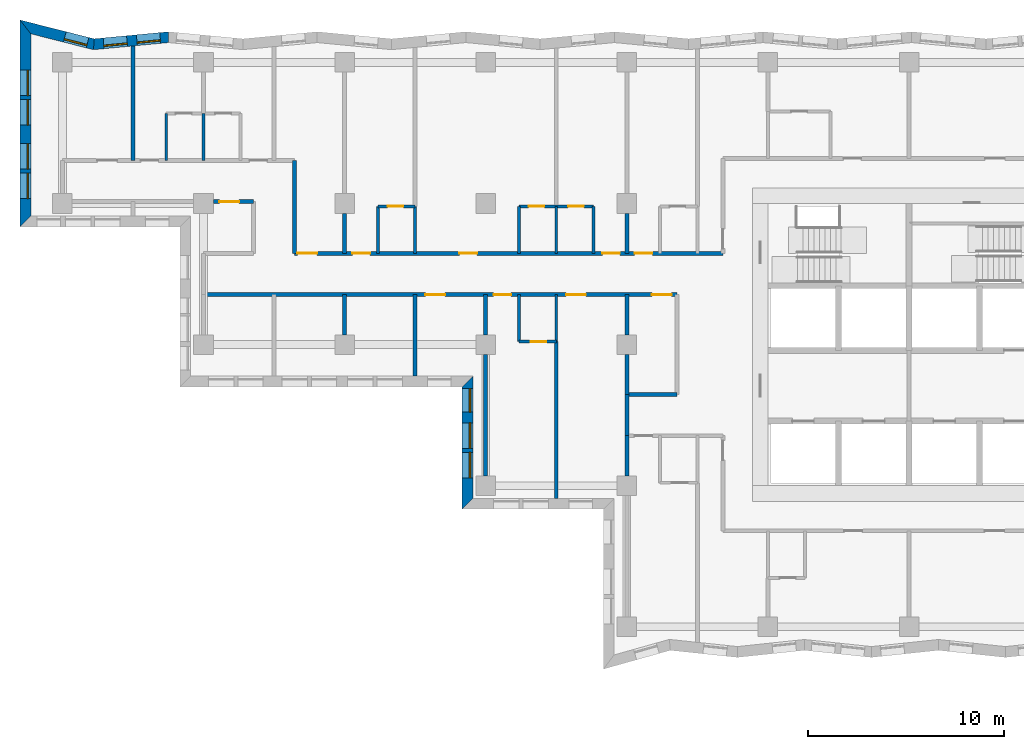
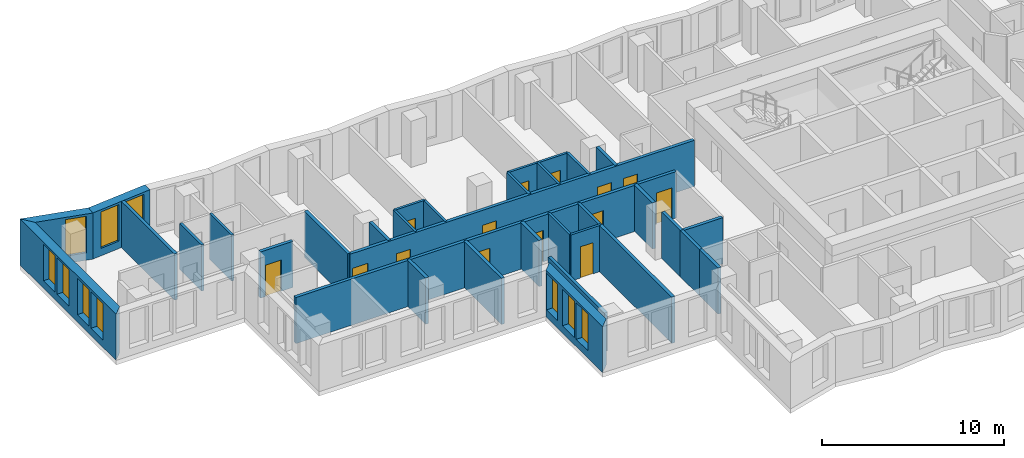
# One storey, part 4 of 12: 33 walls, 14 doors, 10 windows, 24 openings.
"""IFC4 building model written with IfcOpenShell, lengths in metres."""

from ifc_helpers import new_model, si_unit, direction, frame, frame_2d, origin, place, context, subcontext, project, spatial, polyline, rectangle, outline, extrude, material, layer, layer_set, type_object, element, fill, save


model = new_model("IFC4")

# Units and contexts
model_context = context("Model", 3, precision=1e-05, world=origin(), true_north=direction((0.0, 1.0)))
body_context = subcontext(model_context, "Body", "Model", "MODEL_VIEW")
ifc_project = project(units=[si_unit("LENGTHUNIT", "METRE"), si_unit("AREAUNIT", "SQUARE_METRE"), si_unit("VOLUMEUNIT", "CUBIC_METRE"), si_unit("PLANEANGLEUNIT", "RADIAN"), si_unit("MASSUNIT", "GRAM", prefix="KILO")], contexts=[model_context])

# Site, building, storey
site_placement = place(None, origin())
site = spatial("IfcSite", under=ifc_project, at=site_placement, CompositionType="ELEMENT")
building_placement = place(site_placement, origin())
building = spatial("IfcBuilding", under=site, at=building_placement, Name="Windrow Commons", CompositionType="ELEMENT")
storey_placement = place(building_placement, frame((0.0, 0.0, 88.0)))
storey = spatial("IfcBuildingStorey", under=building, at=storey_placement, Name="L23", CompositionType="ELEMENT", Elevation=88.0)

# Wall, openings, windows
ifc_material_1 = material(Name="Brick masonry, red clay brick", Category="masonry")
ifc_layer_1 = layer(ifc_material_1, 0.55)
ifc_layer_set_1 = layer_set([ifc_layer_1], Name="Brick facade wall 550")
wall_type_1 = type_object("IfcWallType", Name="Brick facade wall 550", PredefinedType="SOLIDWALL", material=ifc_layer_set_1)
wall_1_placement = place(storey_placement, frame((27.021, 73.2848, 0.0), z_axis=(0.0, 0.0, 1.0), x_axis=(-0.9954951205, -0.0948127894, 0.0)))
wall_1 = element("IfcWall", 1, at=wall_1_placement, inside=storey, type_object=wall_type_1, Name="Brick facade wall L23 35", PredefinedType="SOLIDWALL", context=body_context, shape_type="SweptSolid", body=[
    extrude(outline(polyline([(-0.0262, -0.275), (3.782, -0.275), (3.8773, 0.275), (0.0262, 0.275), (-0.0262, -0.275)])), origin(), (0.0, 0.0, 1.0), 3.1),
])
opening_1_placement = place(wall_1_placement, frame((0.4277, 0.0, 0.5)))
opening_1 = element("IfcOpeningElement", 2, at=opening_1_placement, cuts=wall_1, Name="Opening W7D", PredefinedType="OPENING", context=body_context, shape_type="SweptSolid", body=[
    extrude(rectangle(XDim=1.2, YDim=2.45, at=frame_2d((0.6, 1.225))), frame((0.0, 0.285, 0.0), z_axis=(0.0, -1.0, 0.0), x_axis=(1.0, 0.0, 0.0)), (0.0, 0.0, 1.0), 0.57),
])
opening_2_placement = place(wall_1_placement, frame((2.1294, 0.0, 0.5)))
opening_2 = element("IfcOpeningElement", 3, at=opening_2_placement, cuts=wall_1, Name="Opening W7D", PredefinedType="OPENING", context=body_context, shape_type="SweptSolid", body=[
    extrude(rectangle(XDim=1.2, YDim=2.45, at=frame_2d((0.6, 1.225))), frame((0.0, 0.285, 0.0), z_axis=(0.0, -1.0, 0.0), x_axis=(1.0, 0.0, 0.0)), (0.0, 0.0, 1.0), 0.57),
])
ifc_material_2 = material(Name="Clear float glass in anodised aluminium frame", Category="aluminium")
window_type_1 = type_object("IfcWindowType", Name="Window W7 notch 1200x2450", PartitioningType="SINGLE_PANEL", PredefinedType="WINDOW", material=ifc_material_2)
window_1_placement = place(opening_1_placement, origin())
window_1 = element("IfcWindow", 4, at=window_1_placement, inside=storey, type_object=window_type_1, Name="Window L23 35.1", OverallHeight=2.45, OverallWidth=1.2, PartitioningType="SINGLE_PANEL", PredefinedType="WINDOW", context=body_context, shape_type="SweptSolid", body=[
    extrude(rectangle(XDim=1.2, YDim=2.45, at=frame_2d((0.6, 1.225))), frame((0.0, 0.155, 0.0), z_axis=(0.0, -1.0, 0.0), x_axis=(1.0, 0.0, 0.0)), (0.0, 0.0, 1.0), 0.06),
])
fill(opening_1, window_1)
window_2_placement = place(opening_2_placement, origin())
window_2 = element("IfcWindow", 5, at=window_2_placement, inside=storey, type_object=window_type_1, Name="Window L23 35.2", OverallHeight=2.45, OverallWidth=1.2, PartitioningType="SINGLE_PANEL", PredefinedType="WINDOW", context=body_context, shape_type="SweptSolid", body=[
    extrude(rectangle(XDim=1.2, YDim=2.45, at=frame_2d((0.6, 1.225))), frame((0.0, 0.155, 0.0), z_axis=(0.0, -1.0, 0.0), x_axis=(1.0, 0.0, 0.0)), (0.0, 0.0, 1.0), 0.06),
])
fill(opening_2, window_2)

# Wall, opening, window
wall_2_placement = place(storey_placement, frame((23.2086, 72.9217, 0.0), z_axis=(0.0, 0.0, 1.0), x_axis=(-0.9693377173, 0.2457323539, 0.0)))
wall_2 = element("IfcWall", 6, at=wall_2_placement, inside=storey, type_object=wall_type_1, Name="Brick facade wall L23 36", PredefinedType="SOLIDWALL", context=body_context, shape_type="SweptSolid", body=[
    extrude(outline(polyline([(0.0477, -0.275), (3.9586, -0.275), (3.2518, 0.275), (-0.0477, 0.275), (0.0477, -0.275)])), origin(), (0.0, 0.0, 1.0), 3.1),
])
opening_3_placement = place(wall_2_placement, frame((0.3298, 0.0, 0.5)))
opening_3 = element("IfcOpeningElement", 7, at=opening_3_placement, cuts=wall_2, Name="Opening W7D", PredefinedType="OPENING", context=body_context, shape_type="SweptSolid", body=[
    extrude(rectangle(XDim=1.2, YDim=2.45, at=frame_2d((0.6, 1.225))), frame((0.0, 0.285, 0.0), z_axis=(0.0, -1.0, 0.0), x_axis=(1.0, 0.0, 0.0)), (0.0, 0.0, 1.0), 0.57),
])
window_3_placement = place(opening_3_placement, origin())
window_3 = element("IfcWindow", 8, at=window_3_placement, inside=storey, type_object=window_type_1, Name="Window L23 36.1", OverallHeight=2.45, OverallWidth=1.2, PartitioningType="SINGLE_PANEL", PredefinedType="WINDOW", context=body_context, shape_type="SweptSolid", body=[
    extrude(rectangle(XDim=1.2, YDim=2.45, at=frame_2d((0.6, 1.225))), frame((0.0, 0.155, 0.0), z_axis=(0.0, -1.0, 0.0), x_axis=(1.0, 0.0, 0.0)), (0.0, 0.0, 1.0), 0.06),
])
fill(opening_3, window_3)

# Wall, openings, windows
wall_3_placement = place(storey_placement, frame((19.714, 73.8076, 0.0), z_axis=(0.0, 0.0, 1.0), x_axis=(0.0, -1.0, 0.0)))
wall_3 = element("IfcWall", 9, at=wall_3_placement, inside=storey, type_object=wall_type_1, Name="Brick facade wall L23 37", PredefinedType="SOLIDWALL", context=body_context, shape_type="SweptSolid", body=[
    extrude(outline(polyline([(-0.3534, -0.275), (10.2076, -0.275), (9.6576, 0.275), (0.3534, 0.275), (-0.3534, -0.275)])), origin(), (0.0, 0.0, 1.0), 3.1),
])
opening_4_placement = place(wall_3_placement, frame((2.2076, 0.0, 0.5)))
opening_4 = element("IfcOpeningElement", 10, at=opening_4_placement, cuts=wall_3, Name="Opening W1P", PredefinedType="OPENING", context=body_context, shape_type="SweptSolid", body=[
    extrude(rectangle(XDim=1.3, YDim=2.45, at=frame_2d((0.65, 1.225))), frame((0.0, 0.285, 0.0), z_axis=(0.0, -1.0, 0.0), x_axis=(1.0, 0.0, 0.0)), (0.0, 0.0, 1.0), 0.57),
])
opening_5_placement = place(wall_3_placement, frame((3.7076, 0.0, 0.5)))
opening_5 = element("IfcOpeningElement", 11, at=opening_5_placement, cuts=wall_3, Name="Opening W1P", PredefinedType="OPENING", context=body_context, shape_type="SweptSolid", body=[
    extrude(rectangle(XDim=1.3, YDim=2.45, at=frame_2d((0.65, 1.225))), frame((0.0, 0.285, 0.0), z_axis=(0.0, -1.0, 0.0), x_axis=(1.0, 0.0, 0.0)), (0.0, 0.0, 1.0), 0.57),
])
opening_6_placement = place(wall_3_placement, frame((5.9576, 0.0, 0.5)))
opening_6 = element("IfcOpeningElement", 12, at=opening_6_placement, cuts=wall_3, Name="Opening W1P", PredefinedType="OPENING", context=body_context, shape_type="SweptSolid", body=[
    extrude(rectangle(XDim=1.3, YDim=2.45, at=frame_2d((0.65, 1.225))), frame((0.0, 0.285, 0.0), z_axis=(0.0, -1.0, 0.0), x_axis=(1.0, 0.0, 0.0)), (0.0, 0.0, 1.0), 0.57),
])
opening_7_placement = place(wall_3_placement, frame((7.4576, 0.0, 0.5)))
opening_7 = element("IfcOpeningElement", 13, at=opening_7_placement, cuts=wall_3, Name="Opening W1P", PredefinedType="OPENING", context=body_context, shape_type="SweptSolid", body=[
    extrude(rectangle(XDim=1.3, YDim=2.45, at=frame_2d((0.65, 1.225))), frame((0.0, 0.285, 0.0), z_axis=(0.0, -1.0, 0.0), x_axis=(1.0, 0.0, 0.0)), (0.0, 0.0, 1.0), 0.57),
])
ifc_material_3 = material(Name="Clear float glass in anodised aluminium frame", Category="aluminium")
window_type_2 = type_object("IfcWindowType", Name="Window W1P pair 1300x2450", PartitioningType="SINGLE_PANEL", PredefinedType="WINDOW", material=ifc_material_3)
window_4_placement = place(opening_4_placement, origin())
window_4 = element("IfcWindow", 14, at=window_4_placement, inside=storey, type_object=window_type_2, Name="Window L23 37.1A", OverallHeight=2.45, OverallWidth=1.3, PartitioningType="SINGLE_PANEL", PredefinedType="WINDOW", context=body_context, shape_type="SweptSolid", body=[
    extrude(rectangle(XDim=1.3, YDim=2.45, at=frame_2d((0.65, 1.225))), frame((0.0, 0.155, 0.0), z_axis=(0.0, -1.0, 0.0), x_axis=(1.0, 0.0, 0.0)), (0.0, 0.0, 1.0), 0.06),
])
fill(opening_4, window_4)
window_5_placement = place(opening_5_placement, origin())
window_5 = element("IfcWindow", 15, at=window_5_placement, inside=storey, type_object=window_type_2, Name="Window L23 37.1B", OverallHeight=2.45, OverallWidth=1.3, PartitioningType="SINGLE_PANEL", PredefinedType="WINDOW", context=body_context, shape_type="SweptSolid", body=[
    extrude(rectangle(XDim=1.3, YDim=2.45, at=frame_2d((0.65, 1.225))), frame((0.0, 0.155, 0.0), z_axis=(0.0, -1.0, 0.0), x_axis=(1.0, 0.0, 0.0)), (0.0, 0.0, 1.0), 0.06),
])
fill(opening_5, window_5)
window_6_placement = place(opening_6_placement, origin())
window_6 = element("IfcWindow", 16, at=window_6_placement, inside=storey, type_object=window_type_2, Name="Window L23 37.2A", OverallHeight=2.45, OverallWidth=1.3, PartitioningType="SINGLE_PANEL", PredefinedType="WINDOW", context=body_context, shape_type="SweptSolid", body=[
    extrude(rectangle(XDim=1.3, YDim=2.45, at=frame_2d((0.65, 1.225))), frame((0.0, 0.155, 0.0), z_axis=(0.0, -1.0, 0.0), x_axis=(1.0, 0.0, 0.0)), (0.0, 0.0, 1.0), 0.06),
])
fill(opening_6, window_6)
window_7_placement = place(opening_7_placement, origin())
window_7 = element("IfcWindow", 17, at=window_7_placement, inside=storey, type_object=window_type_2, Name="Window L23 37.2B", OverallHeight=2.45, OverallWidth=1.3, PartitioningType="SINGLE_PANEL", PredefinedType="WINDOW", context=body_context, shape_type="SweptSolid", body=[
    extrude(rectangle(XDim=1.3, YDim=2.45, at=frame_2d((0.65, 1.225))), frame((0.0, 0.155, 0.0), z_axis=(0.0, -1.0, 0.0), x_axis=(1.0, 0.0, 0.0)), (0.0, 0.0, 1.0), 0.06),
])
fill(opening_7, window_7)

wall_4_placement = place(storey_placement, frame((42.275, 55.714, 0.0), z_axis=(0.0, 0.0, 1.0), x_axis=(0.0, -1.0, 0.0)))
wall_4 = element("IfcWall", 18, at=wall_4_placement, inside=storey, type_object=wall_type_1, Name="Brick facade wall L23 41", PredefinedType="SOLIDWALL", context=body_context, shape_type="SweptSolid", body=[
    extrude(outline(polyline([(0.275, -0.275), (6.514, -0.275), (5.964, 0.275), (-0.275, 0.275), (0.275, -0.275)])), origin(), (0.0, 0.0, 1.0), 3.1),
])
opening_8_placement = place(wall_4_placement, frame((2.114, 0.0, 0.5)))
opening_8 = element("IfcOpeningElement", 19, at=opening_8_placement, cuts=wall_4, Name="Opening W1P", PredefinedType="OPENING", context=body_context, shape_type="SweptSolid", body=[
    extrude(rectangle(XDim=1.3, YDim=2.45, at=frame_2d((0.65, 1.225))), frame((0.0, 0.285, 0.0), z_axis=(0.0, -1.0, 0.0), x_axis=(1.0, 0.0, 0.0)), (0.0, 0.0, 1.0), 0.57),
])
opening_9_placement = place(wall_4_placement, frame((3.614, 0.0, 0.5)))
opening_9 = element("IfcOpeningElement", 20, at=opening_9_placement, cuts=wall_4, Name="Opening W1P", PredefinedType="OPENING", context=body_context, shape_type="SweptSolid", body=[
    extrude(rectangle(XDim=1.3, YDim=2.45, at=frame_2d((0.65, 1.225))), frame((0.0, 0.285, 0.0), z_axis=(0.0, -1.0, 0.0), x_axis=(1.0, 0.0, 0.0)), (0.0, 0.0, 1.0), 0.57),
])
opening_10_placement = place(wall_4_placement, frame((0.357, 0.0, 0.5)))
opening_10 = element("IfcOpeningElement", 21, at=opening_10_placement, cuts=wall_4, Name="Opening W7D", PredefinedType="OPENING", context=body_context, shape_type="SweptSolid", body=[
    extrude(rectangle(XDim=1.2, YDim=2.45, at=frame_2d((0.6, 1.225))), frame((0.0, 0.285, 0.0), z_axis=(0.0, -1.0, 0.0), x_axis=(1.0, 0.0, 0.0)), (0.0, 0.0, 1.0), 0.57),
])
window_8_placement = place(opening_8_placement, origin())
window_8 = element("IfcWindow", 22, at=window_8_placement, inside=storey, type_object=window_type_2, Name="Window L23 41.1A", OverallHeight=2.45, OverallWidth=1.3, PartitioningType="SINGLE_PANEL", PredefinedType="WINDOW", context=body_context, shape_type="SweptSolid", body=[
    extrude(rectangle(XDim=1.3, YDim=2.45, at=frame_2d((0.65, 1.225))), frame((0.0, 0.155, 0.0), z_axis=(0.0, -1.0, 0.0), x_axis=(1.0, 0.0, 0.0)), (0.0, 0.0, 1.0), 0.06),
])
fill(opening_8, window_8)
window_9_placement = place(opening_9_placement, origin())
window_9 = element("IfcWindow", 23, at=window_9_placement, inside=storey, type_object=window_type_2, Name="Window L23 41.1B", OverallHeight=2.45, OverallWidth=1.3, PartitioningType="SINGLE_PANEL", PredefinedType="WINDOW", context=body_context, shape_type="SweptSolid", body=[
    extrude(rectangle(XDim=1.3, YDim=2.45, at=frame_2d((0.65, 1.225))), frame((0.0, 0.155, 0.0), z_axis=(0.0, -1.0, 0.0), x_axis=(1.0, 0.0, 0.0)), (0.0, 0.0, 1.0), 0.06),
])
fill(opening_9, window_9)
window_10_placement = place(opening_10_placement, origin())
window_10 = element("IfcWindow", 24, at=window_10_placement, inside=storey, type_object=window_type_1, Name="Window L23 41.2", OverallHeight=2.45, OverallWidth=1.2, PartitioningType="SINGLE_PANEL", PredefinedType="WINDOW", context=body_context, shape_type="SweptSolid", body=[
    extrude(rectangle(XDim=1.2, YDim=2.45, at=frame_2d((0.6, 1.225))), frame((0.0, 0.155, 0.0), z_axis=(0.0, -1.0, 0.0), x_axis=(1.0, 0.0, 0.0)), (0.0, 0.0, 1.0), 0.06),
])
fill(opening_10, window_10)

# Wall, openings, doors
ifc_material_4 = material(Name="Blockwork partition", Category="masonry")
ifc_layer_2 = layer(ifc_material_4, 0.2)
ifc_layer_set_2 = layer_set([ifc_layer_2], Name="IW-CORRIDOR-200")
wall_type_2 = type_object("IfcWallType", Name="IW-CORRIDOR-200", PredefinedType="PARTITIONING", material=ifc_layer_set_2)
wall_5_placement = place(storey_placement, frame((28.8, 60.15, 0.0), z_axis=(0.0, 0.0, 1.0), x_axis=(1.0, 0.0, 0.0)))
wall_5 = element("IfcWall", 25, at=wall_5_placement, inside=storey, type_object=wall_type_2, Name="W-L23-W000", PredefinedType="PARTITIONING", context=body_context, shape_type="SweptSolid", body=[
    extrude(rectangle(XDim=24.15, YDim=0.2, at=frame_2d((12.075, 0.0))), origin(), (0.0, 0.0, 1.0), 3.1),
])
opening_11_placement = place(wall_5_placement, frame((11.325, 0.0, 0.0)))
opening_11 = element("IfcOpeningElement", 26, at=opening_11_placement, cuts=wall_5, Name="Opening D310F", PredefinedType="OPENING", context=body_context, shape_type="SweptSolid", body=[
    extrude(rectangle(XDim=1.0, YDim=2.1, at=frame_2d((0.5, 1.05))), frame((0.0, 0.11, 0.0), z_axis=(0.0, -1.0, 0.0), x_axis=(1.0, 0.0, 0.0)), (0.0, 0.0, 1.0), 0.22),
])
opening_12_placement = place(wall_5_placement, frame((14.8, 0.0, 0.0)))
opening_12 = element("IfcOpeningElement", 27, at=opening_12_placement, cuts=wall_5, Name="Opening D109S", PredefinedType="OPENING", context=body_context, shape_type="SweptSolid", body=[
    extrude(rectangle(XDim=0.9, YDim=2.1, at=frame_2d((0.45, 1.05))), frame((0.0, 0.11, 0.0), z_axis=(0.0, -1.0, 0.0), x_axis=(1.0, 0.0, 0.0)), (0.0, 0.0, 1.0), 0.22),
])
opening_13_placement = place(wall_5_placement, frame((18.5075, 0.0, 0.0)))
opening_13 = element("IfcOpeningElement", 28, at=opening_13_placement, cuts=wall_5, Name="Opening D310F", PredefinedType="OPENING", context=body_context, shape_type="SweptSolid", body=[
    extrude(rectangle(XDim=1.0, YDim=2.1, at=frame_2d((0.5, 1.05))), frame((0.0, 0.11, 0.0), z_axis=(0.0, -1.0, 0.0), x_axis=(1.0, 0.0, 0.0)), (0.0, 0.0, 1.0), 0.22),
])
opening_14_placement = place(wall_5_placement, frame((22.8824, 0.0, 0.0)))
opening_14 = element("IfcOpeningElement", 29, at=opening_14_placement, cuts=wall_5, Name="Opening D310F", PredefinedType="OPENING", context=body_context, shape_type="SweptSolid", body=[
    extrude(rectangle(XDim=1.0, YDim=2.1, at=frame_2d((0.5, 1.05))), frame((0.0, 0.11, 0.0), z_axis=(0.0, -1.0, 0.0), x_axis=(1.0, 0.0, 0.0)), (0.0, 0.0, 1.0), 0.22),
])
ifc_material_5 = material(Name="Timber door leaf", Category="wood")
door_type_1 = type_object("IfcDoorType", Name="DT-AMENITY-1000", OperationType="SINGLE_SWING_LEFT", PredefinedType="DOOR", material=ifc_material_5)
door_1_placement = place(opening_11_placement, origin())
door_1 = element("IfcDoor", 30, at=door_1_placement, inside=storey, type_object=door_type_1, Name="D-L23-D025", OperationType="SINGLE_SWING_RIGHT", OverallHeight=2.1, OverallWidth=1.0, PredefinedType="DOOR", context=body_context, shape_type="SweptSolid", body=[
    extrude(rectangle(XDim=1.0, YDim=2.1, at=frame_2d((0.5, 1.05))), frame((0.0, 0.025, 0.0), z_axis=(0.0, -1.0, 0.0), x_axis=(1.0, 0.0, 0.0)), (0.0, 0.0, 1.0), 0.05),
])
fill(opening_11, door_1)
door_2_placement = place(opening_13_placement, origin())
door_2 = element("IfcDoor", 31, at=door_2_placement, inside=storey, type_object=door_type_1, Name="D-L23-D028", OperationType="SINGLE_SWING_RIGHT", OverallHeight=2.1, OverallWidth=1.0, PredefinedType="DOOR", context=body_context, shape_type="SweptSolid", body=[
    extrude(rectangle(XDim=1.0, YDim=2.1, at=frame_2d((0.5, 1.05))), frame((0.0, 0.025, 0.0), z_axis=(0.0, -1.0, 0.0), x_axis=(1.0, 0.0, 0.0)), (0.0, 0.0, 1.0), 0.05),
])
fill(opening_13, door_2)
door_3_placement = place(opening_14_placement, origin())
door_3 = element("IfcDoor", 32, at=door_3_placement, inside=storey, type_object=door_type_1, Name="D-L23-D029", OperationType="SINGLE_SWING_LEFT", OverallHeight=2.1, OverallWidth=1.0, PredefinedType="DOOR", context=body_context, shape_type="SweptSolid", body=[
    extrude(rectangle(XDim=1.0, YDim=2.1, at=frame_2d((0.5, 1.05))), frame((0.0, 0.025, 0.0), z_axis=(0.0, -1.0, 0.0), x_axis=(1.0, 0.0, 0.0)), (0.0, 0.0, 1.0), 0.05),
])
fill(opening_14, door_3)
ifc_material_6 = material(Name="Timber door leaf", Category="wood")
door_type_2 = type_object("IfcDoorType", Name="DT-BEDROOM-900", OperationType="SINGLE_SWING_LEFT", PredefinedType="DOOR", material=ifc_material_6)
door_4_placement = place(opening_12_placement, origin())
door_4 = element("IfcDoor", 33, at=door_4_placement, inside=storey, type_object=door_type_2, Name="D-L23-D026", OperationType="SINGLE_SWING_LEFT", OverallHeight=2.1, OverallWidth=0.9, PredefinedType="DOOR", context=body_context, shape_type="SweptSolid", body=[
    extrude(rectangle(XDim=0.9, YDim=2.1, at=frame_2d((0.45, 1.05))), frame((0.0, 0.025, 0.0), z_axis=(0.0, -1.0, 0.0), x_axis=(1.0, 0.0, 0.0)), (0.0, 0.0, 1.0), 0.05),
])
fill(opening_12, door_4)

wall_6_placement = place(storey_placement, frame((33.45, 62.25, 0.0), z_axis=(0.0, 0.0, 1.0), x_axis=(1.0, 0.0, 0.0)))
wall_6 = element("IfcWall", 34, at=wall_6_placement, inside=storey, type_object=wall_type_2, Name="W-L23-W001", PredefinedType="PARTITIONING", context=body_context, shape_type="SweptSolid", body=[
    extrude(rectangle(XDim=21.85, YDim=0.2, at=frame_2d((10.925, 0.0))), origin(), (0.0, 0.0, 1.0), 3.1),
])
opening_15_placement = place(wall_6_placement, frame((0.1438, 0.0, 0.0)))
opening_15 = element("IfcOpeningElement", 35, at=opening_15_placement, cuts=wall_6, Name="Opening D310F", PredefinedType="OPENING", context=body_context, shape_type="SweptSolid", body=[
    extrude(rectangle(XDim=1.0, YDim=2.1, at=frame_2d((0.5, 1.05))), frame((0.0, 0.11, 0.0), z_axis=(0.0, -1.0, 0.0), x_axis=(1.0, 0.0, 0.0)), (0.0, 0.0, 1.0), 0.22),
])
opening_16_placement = place(wall_6_placement, frame((2.95, 0.0, 0.0)))
opening_16 = element("IfcOpeningElement", 36, at=opening_16_placement, cuts=wall_6, Name="Opening D109S", PredefinedType="OPENING", context=body_context, shape_type="SweptSolid", body=[
    extrude(rectangle(XDim=0.9, YDim=2.1, at=frame_2d((0.45, 1.05))), frame((0.0, 0.11, 0.0), z_axis=(0.0, -1.0, 0.0), x_axis=(1.0, 0.0, 0.0)), (0.0, 0.0, 1.0), 0.22),
])
opening_17_placement = place(wall_6_placement, frame((8.4066, 0.0, 0.0)))
opening_17 = element("IfcOpeningElement", 37, at=opening_17_placement, cuts=wall_6, Name="Opening D109F", PredefinedType="OPENING", context=body_context, shape_type="SweptSolid", body=[
    extrude(rectangle(XDim=0.9, YDim=2.1, at=frame_2d((0.45, 1.05))), frame((0.0, 0.11, 0.0), z_axis=(0.0, -1.0, 0.0), x_axis=(1.0, 0.0, 0.0)), (0.0, 0.0, 1.0), 0.22),
])
opening_18_placement = place(wall_6_placement, frame((15.7, 0.0, 0.0)))
opening_18 = element("IfcOpeningElement", 38, at=opening_18_placement, cuts=wall_6, Name="Opening D109S", PredefinedType="OPENING", context=body_context, shape_type="SweptSolid", body=[
    extrude(rectangle(XDim=0.9, YDim=2.1, at=frame_2d((0.45, 1.05))), frame((0.0, 0.11, 0.0), z_axis=(0.0, -1.0, 0.0), x_axis=(1.0, 0.0, 0.0)), (0.0, 0.0, 1.0), 0.22),
])
opening_19_placement = place(wall_6_placement, frame((17.35, 0.0, 0.0)))
opening_19 = element("IfcOpeningElement", 39, at=opening_19_placement, cuts=wall_6, Name="Opening D109S", PredefinedType="OPENING", context=body_context, shape_type="SweptSolid", body=[
    extrude(rectangle(XDim=0.9, YDim=2.1, at=frame_2d((0.45, 1.05))), frame((0.0, 0.11, 0.0), z_axis=(0.0, -1.0, 0.0), x_axis=(1.0, 0.0, 0.0)), (0.0, 0.0, 1.0), 0.22),
])
door_5_placement = place(opening_15_placement, origin())
door_5 = element("IfcDoor", 40, at=door_5_placement, inside=storey, type_object=door_type_1, Name="D-L23-D012", OperationType="SINGLE_SWING_LEFT", OverallHeight=2.1, OverallWidth=1.0, PredefinedType="DOOR", context=body_context, shape_type="SweptSolid", body=[
    extrude(rectangle(XDim=1.0, YDim=2.1, at=frame_2d((0.5, 1.05))), frame((0.0, 0.025, 0.0), z_axis=(0.0, -1.0, 0.0), x_axis=(1.0, 0.0, 0.0)), (0.0, 0.0, 1.0), 0.05),
])
fill(opening_15, door_5)
door_6_placement = place(opening_16_placement, origin())
door_6 = element("IfcDoor", 41, at=door_6_placement, inside=storey, type_object=door_type_2, Name="D-L23-D013", OperationType="SINGLE_SWING_RIGHT", OverallHeight=2.1, OverallWidth=0.9, PredefinedType="DOOR", context=body_context, shape_type="SweptSolid", body=[
    extrude(rectangle(XDim=0.9, YDim=2.1, at=frame_2d((0.45, 1.05))), frame((0.0, 0.025, 0.0), z_axis=(0.0, -1.0, 0.0), x_axis=(1.0, 0.0, 0.0)), (0.0, 0.0, 1.0), 0.05),
])
fill(opening_16, door_6)
door_7_placement = place(opening_17_placement, origin())
door_7 = element("IfcDoor", 42, at=door_7_placement, inside=storey, type_object=door_type_2, Name="D-L23-D015", OperationType="SINGLE_SWING_LEFT", OverallHeight=2.1, OverallWidth=0.9, PredefinedType="DOOR", context=body_context, shape_type="SweptSolid", body=[
    extrude(rectangle(XDim=0.9, YDim=2.1, at=frame_2d((0.45, 1.05))), frame((0.0, 0.025, 0.0), z_axis=(0.0, -1.0, 0.0), x_axis=(1.0, 0.0, 0.0)), (0.0, 0.0, 1.0), 0.05),
])
fill(opening_17, door_7)
door_8_placement = place(opening_18_placement, origin())
door_8 = element("IfcDoor", 43, at=door_8_placement, inside=storey, type_object=door_type_2, Name="D-L23-D017", OperationType="SINGLE_SWING_LEFT", OverallHeight=2.1, OverallWidth=0.9, PredefinedType="DOOR", context=body_context, shape_type="SweptSolid", body=[
    extrude(rectangle(XDim=0.9, YDim=2.1, at=frame_2d((0.45, 1.05))), frame((0.0, 0.025, 0.0), z_axis=(0.0, -1.0, 0.0), x_axis=(1.0, 0.0, 0.0)), (0.0, 0.0, 1.0), 0.05),
])
fill(opening_18, door_8)
door_9_placement = place(opening_19_placement, origin())
door_9 = element("IfcDoor", 44, at=door_9_placement, inside=storey, type_object=door_type_2, Name="D-L23-D019", OperationType="SINGLE_SWING_RIGHT", OverallHeight=2.1, OverallWidth=0.9, PredefinedType="DOOR", context=body_context, shape_type="SweptSolid", body=[
    extrude(rectangle(XDim=0.9, YDim=2.1, at=frame_2d((0.45, 1.05))), frame((0.0, 0.025, 0.0), z_axis=(0.0, -1.0, 0.0), x_axis=(1.0, 0.0, 0.0)), (0.0, 0.0, 1.0), 0.05),
])
fill(opening_19, door_9)

# Walls
wall_7_placement = place(storey_placement, frame((33.45, 62.252, 0.0), z_axis=(0.0, 0.0, 1.0), x_axis=(0.0, 1.0, 0.0)))
element("IfcWall", 45, at=wall_7_placement, inside=storey, type_object=wall_type_2, Name="W-L23-W042", PredefinedType="PARTITIONING", context=body_context, shape_type="SweptSolid", body=[
    extrude(rectangle(XDim=4.748, YDim=0.2, at=frame_2d((2.374, 0.0))), origin(), (0.0, 0.0, 1.0), 3.1),
])
wall_8_placement = place(storey_placement, frame((50.4, 55.05, 0.0), z_axis=(0.0, 0.0, 1.0), x_axis=(1.0, 0.0, 0.0)))
element("IfcWall", 46, at=wall_8_placement, inside=storey, type_object=wall_type_2, Name="W-L23-W067", PredefinedType="PARTITIONING", context=body_context, shape_type="SweptSolid", body=[
    extrude(rectangle(XDim=2.55, YDim=0.2, at=frame_2d((1.275, 0.0))), origin(), (0.0, 0.0, 1.0), 3.1),
])
wall_9_placement = place(storey_placement, frame((50.4, 52.95, 0.0), z_axis=(0.0, 0.0, 1.0), x_axis=(0.0, 1.0, 0.0)))
element("IfcWall", 47, at=wall_9_placement, inside=storey, type_object=wall_type_2, Name="W-L23-W105", PredefinedType="PARTITIONING", context=body_context, shape_type="SweptSolid", body=[
    extrude(rectangle(XDim=2.1, YDim=0.2, at=frame_2d((1.05, 0.0))), origin(), (0.0, 0.0, 1.0), 3.1),
])

# Wall, opening, door
wall_10_placement = place(storey_placement, frame((29.3, 64.9, 0.0), z_axis=(0.0, 0.0, 1.0), x_axis=(1.0, 0.0, 0.0)))
wall_10 = element("IfcWall", 48, at=wall_10_placement, inside=storey, type_object=wall_type_2, Name="W-L23-W117", PredefinedType="PARTITIONING", context=body_context, shape_type="SweptSolid", body=[
    extrude(rectangle(XDim=2.048, YDim=0.2, at=frame_2d((1.024, 0.0))), origin(), (0.0, 0.0, 1.0), 3.1),
])
opening_20_placement = place(wall_10_placement, frame((0.3155, 0.0, 0.0)))
opening_20 = element("IfcOpeningElement", 49, at=opening_20_placement, cuts=wall_10, Name="Opening D310F", PredefinedType="OPENING", context=body_context, shape_type="SweptSolid", body=[
    extrude(rectangle(XDim=1.0, YDim=2.1, at=frame_2d((0.5, 1.05))), frame((0.0, 0.11, 0.0), z_axis=(0.0, -1.0, 0.0), x_axis=(1.0, 0.0, 0.0)), (0.0, 0.0, 1.0), 0.22),
])
door_10_placement = place(opening_20_placement, origin())
door_10 = element("IfcDoor", 50, at=door_10_placement, inside=storey, type_object=door_type_1, Name="D-L23-D001", OperationType="SINGLE_SWING_RIGHT", OverallHeight=2.1, OverallWidth=1.0, PredefinedType="DOOR", context=body_context, shape_type="SweptSolid", body=[
    extrude(rectangle(XDim=1.0, YDim=2.1, at=frame_2d((0.5, 1.05))), frame((0.0, 0.025, 0.0), z_axis=(0.0, -1.0, 0.0), x_axis=(1.0, 0.0, 0.0)), (0.0, 0.0, 1.0), 0.05),
])
fill(opening_20, door_10)

# Wall, openings, doors
ifc_material_7 = material(Name="Blockwork partition", Category="masonry")
ifc_layer_3 = layer(ifc_material_7, 0.15)
ifc_layer_set_3 = layer_set([ifc_layer_3], Name="IW-ENSUITE-150")
wall_type_3 = type_object("IfcWallType", Name="IW-ENSUITE-150", PredefinedType="PARTITIONING", material=ifc_layer_set_3)
wall_11_placement = place(storey_placement, frame((44.9, 64.65, 0.0), z_axis=(0.0, 0.0, 1.0), x_axis=(1.0, 0.0, 0.0)))
wall_11 = element("IfcWall", 51, at=wall_11_placement, inside=storey, type_object=wall_type_3, Name="W-L23-W055", PredefinedType="PARTITIONING", context=body_context, shape_type="SweptSolid", body=[
    extrude(rectangle(XDim=3.8, YDim=0.15, at=frame_2d((1.9, 0.0))), origin(), (0.0, 0.0, 1.0), 3.1),
])
opening_21_placement = place(wall_11_placement, frame((0.4931, 0.0, 0.0)))
opening_21 = element("IfcOpeningElement", 52, at=opening_21_placement, cuts=wall_11, Name="Opening D208N", PredefinedType="OPENING", context=body_context, shape_type="SweptSolid", body=[
    extrude(rectangle(XDim=0.8, YDim=2.1, at=frame_2d((0.4, 1.05))), frame((0.0, 0.085, 0.0), z_axis=(0.0, -1.0, 0.0), x_axis=(1.0, 0.0, 0.0)), (0.0, 0.0, 1.0), 0.17),
])
opening_22_placement = place(wall_11_placement, frame((2.5069, 0.0, 0.0)))
opening_22 = element("IfcOpeningElement", 53, at=opening_22_placement, cuts=wall_11, Name="Opening D208N", PredefinedType="OPENING", context=body_context, shape_type="SweptSolid", body=[
    extrude(rectangle(XDim=0.8, YDim=2.1, at=frame_2d((0.4, 1.05))), frame((0.0, 0.085, 0.0), z_axis=(0.0, -1.0, 0.0), x_axis=(1.0, 0.0, 0.0)), (0.0, 0.0, 1.0), 0.17),
])
ifc_material_8 = material(Name="Timber door leaf", Category="wood")
door_type_3 = type_object("IfcDoorType", Name="DT-ENSUITE-800", OperationType="SINGLE_SWING_LEFT", PredefinedType="DOOR", material=ifc_material_8)
door_11_placement = place(opening_21_placement, origin())
door_11 = element("IfcDoor", 54, at=door_11_placement, inside=storey, type_object=door_type_3, Name="D-L23-D016", OperationType="SINGLE_SWING_RIGHT", OverallHeight=2.1, OverallWidth=0.8, PredefinedType="DOOR", context=body_context, shape_type="SweptSolid", body=[
    extrude(rectangle(XDim=0.8, YDim=2.1, at=frame_2d((0.4, 1.05))), frame((0.0, 0.025, 0.0), z_axis=(0.0, -1.0, 0.0), x_axis=(1.0, 0.0, 0.0)), (0.0, 0.0, 1.0), 0.05),
])
fill(opening_21, door_11)
door_12_placement = place(opening_22_placement, origin())
door_12 = element("IfcDoor", 55, at=door_12_placement, inside=storey, type_object=door_type_3, Name="D-L23-D018", OperationType="SINGLE_SWING_RIGHT", OverallHeight=2.1, OverallWidth=0.8, PredefinedType="DOOR", context=body_context, shape_type="SweptSolid", body=[
    extrude(rectangle(XDim=0.8, YDim=2.1, at=frame_2d((0.4, 1.05))), frame((0.0, 0.025, 0.0), z_axis=(0.0, -1.0, 0.0), x_axis=(1.0, 0.0, 0.0)), (0.0, 0.0, 1.0), 0.05),
])
fill(opening_22, door_12)

# Walls
for number, where, z_axis, x_axis, name in (
    (56, (26.9, 67.0, 0.0), (0.0, 0.0, 1.0), (0.0, 1.0, 0.0), "W-L23-W071"),
    (57, (28.8, 67.0, 0.0), (0.0, 0.0, 1.0), (0.0, 1.0, 0.0), "W-L23-W072"),
    (58, (37.7, 62.25, 0.0), (0.0, 0.0, 1.0), (0.0, 1.0, 0.0), "W-L23-W074"),
    (59, (39.6, 62.25, 0.0), (0.0, 0.0, 1.0), (0.0, 1.0, 0.0), "W-L23-W075"),
    (60, (44.9, 62.25, 0.0), (0.0, 0.0, 1.0), (0.0, 1.0, 0.0), "W-L23-W076"),
    (61, (46.8, 62.25, 0.0), (0.0, 0.0, 1.0), (0.0, 1.0, 0.0), "W-L23-W077"),
    (62, (48.7, 62.25, 0.0), (0.0, 0.0, 1.0), (0.0, 1.0, 0.0), "W-L23-W078"),
    (63, (44.9, 57.75, 0.0), (0.0, 0.0, 1.0), (0.0, 1.0, 0.0), "W-L23-W087"),
    (64, (46.8, 57.75, 0.0), (0.0, 0.0, 1.0), (0.0, 1.0, 0.0), "W-L23-W088"),
):
    element("IfcWall", number, at=place(storey_placement, frame(where, z_axis=z_axis, x_axis=x_axis)), inside=storey, type_object=wall_type_3, Name=name, PredefinedType="PARTITIONING", context=body_context, shape_type="SweptSolid", body=[
        extrude(rectangle(XDim=2.4, YDim=0.15, at=frame_2d((1.2, 0.0))), origin(), (0.0, 0.0, 1.0), 3.1),
    ])

# Wall, opening, door
wall_12_placement = place(storey_placement, frame((37.7, 64.65, 0.0), z_axis=(0.0, 0.0, 1.0), x_axis=(1.0, 0.0, 0.0)))
wall_12 = element("IfcWall", 65, at=wall_12_placement, inside=storey, type_object=wall_type_3, Name="W-L23-W126", PredefinedType="PARTITIONING", context=body_context, shape_type="SweptSolid", body=[
    extrude(rectangle(XDim=1.9, YDim=0.15, at=frame_2d((0.95, 0.0))), origin(), (0.0, 0.0, 1.0), 3.1),
])
opening_23_placement = place(wall_12_placement, frame((0.4931, 0.0, 0.0)))
opening_23 = element("IfcOpeningElement", 66, at=opening_23_placement, cuts=wall_12, Name="Opening D208N", PredefinedType="OPENING", context=body_context, shape_type="SweptSolid", body=[
    extrude(rectangle(XDim=0.8, YDim=2.1, at=frame_2d((0.4, 1.05))), frame((0.0, 0.085, 0.0), z_axis=(0.0, -1.0, 0.0), x_axis=(1.0, 0.0, 0.0)), (0.0, 0.0, 1.0), 0.17),
])
door_13_placement = place(opening_23_placement, origin())
door_13 = element("IfcDoor", 67, at=door_13_placement, inside=storey, type_object=door_type_3, Name="D-L23-D014", OperationType="SINGLE_SWING_RIGHT", OverallHeight=2.1, OverallWidth=0.8, PredefinedType="DOOR", context=body_context, shape_type="SweptSolid", body=[
    extrude(rectangle(XDim=0.8, YDim=2.1, at=frame_2d((0.4, 1.05))), frame((0.0, 0.025, 0.0), z_axis=(0.0, -1.0, 0.0), x_axis=(1.0, 0.0, 0.0)), (0.0, 0.0, 1.0), 0.05),
])
fill(opening_23, door_13)

wall_13_placement = place(storey_placement, frame((44.9, 57.75, 0.0), z_axis=(0.0, 0.0, 1.0), x_axis=(1.0, 0.0, 0.0)))
wall_13 = element("IfcWall", 68, at=wall_13_placement, inside=storey, type_object=wall_type_3, Name="W-L23-W128", PredefinedType="PARTITIONING", context=body_context, shape_type="SweptSolid", body=[
    extrude(rectangle(XDim=1.9, YDim=0.15, at=frame_2d((0.95, 0.0))), origin(), (0.0, 0.0, 1.0), 3.1),
])
opening_24_placement = place(wall_13_placement, frame((0.5979, 0.0, 0.0)))
opening_24 = element("IfcOpeningElement", 69, at=opening_24_placement, cuts=wall_13, Name="Opening D208N", PredefinedType="OPENING", context=body_context, shape_type="SweptSolid", body=[
    extrude(rectangle(XDim=0.8, YDim=2.1, at=frame_2d((0.4, 1.05))), frame((0.0, 0.085, 0.0), z_axis=(0.0, -1.0, 0.0), x_axis=(1.0, 0.0, 0.0)), (0.0, 0.0, 1.0), 0.17),
])
door_14_placement = place(opening_24_placement, origin())
door_14 = element("IfcDoor", 70, at=door_14_placement, inside=storey, type_object=door_type_3, Name="D-L23-D027", OperationType="SINGLE_SWING_RIGHT", OverallHeight=2.1, OverallWidth=0.8, PredefinedType="DOOR", context=body_context, shape_type="SweptSolid", body=[
    extrude(rectangle(XDim=0.8, YDim=2.1, at=frame_2d((0.4, 1.05))), frame((0.0, 0.025, 0.0), z_axis=(0.0, -1.0, 0.0), x_axis=(1.0, 0.0, 0.0)), (0.0, 0.0, 1.0), 0.05),
])
fill(opening_24, door_14)

# Walls
ifc_material_9 = material(Name="Blockwork partition", Category="masonry")
ifc_layer_4 = layer(ifc_material_9, 0.2)
ifc_layer_set_4 = layer_set([ifc_layer_4], Name="IW-PARTY-200")
wall_type_4 = type_object("IfcWallType", Name="IW-PARTY-200", PredefinedType="PARTITIONING", material=ifc_layer_set_4)
wall_14_placement = place(storey_placement, frame((46.8, 49.75, 0.0), z_axis=(0.0, 0.0, 1.0), x_axis=(0.0, 1.0, 0.0)))
element("IfcWall", 71, at=wall_14_placement, inside=storey, type_object=wall_type_4, Name="W-L23-W020", PredefinedType="PARTITIONING", context=body_context, shape_type="SweptSolid", body=[
    extrude(rectangle(XDim=8.0, YDim=0.2, at=frame_2d((4.0, 0.0))), origin(), (0.0, 0.0, 1.0), 3.1),
])
wall_15_placement = place(storey_placement, frame((43.2, 50.9, 0.0), z_axis=(0.0, 0.0, 1.0), x_axis=(0.0, 1.0, 0.0)))
element("IfcWall", 72, at=wall_15_placement, inside=storey, type_object=wall_type_4, Name="W-L23-W024", PredefinedType="PARTITIONING", context=body_context, shape_type="SweptSolid", body=[
    extrude(rectangle(XDim=6.2, YDim=0.2, at=frame_2d((3.1, 0.0))), origin(), (0.0, 0.0, 1.0), 2.6),
])
wall_16_placement = place(storey_placement, frame((25.2, 67.0, 0.0), z_axis=(0.0, 0.0, 1.0), x_axis=(0.0, 1.0, 0.0)))
element("IfcWall", 73, at=wall_16_placement, inside=storey, type_object=wall_type_4, Name="W-L23-W032", PredefinedType="PARTITIONING", context=body_context, shape_type="SweptSolid", body=[
    extrude(rectangle(XDim=5.8351, YDim=0.2, at=frame_2d((2.9175, 0.0))), origin(), (0.0, 0.0, 1.0), 3.1),
])
wall_17_placement = place(storey_placement, frame((39.6, 55.989, 0.0), z_axis=(0.0, 0.0, 1.0), x_axis=(0.0, 1.0, 0.0)))
element("IfcWall", 74, at=wall_17_placement, inside=storey, type_object=wall_type_4, Name="W-L23-W051", PredefinedType="PARTITIONING", context=body_context, shape_type="SweptSolid", body=[
    extrude(rectangle(XDim=4.161, YDim=0.2, at=frame_2d((2.0805, 0.0))), origin(), (0.0, 0.0, 1.0), 3.1),
])
for number, where, z_axis, x_axis, name in (
    (75, (50.4, 50.9, 0.0), (0.0, 0.0, 1.0), (0.0, 1.0, 0.0), "W-L23-W108"),
    (76, (50.4, 55.05, 0.0), (0.0, 0.0, 1.0), (0.0, 1.0, 0.0), "W-L23-W109"),
    (77, (36.0, 58.1, 0.0), (0.0, 0.0, 1.0), (0.0, 1.0, 0.0), "W-L23-W111"),
    (78, (36.0, 62.25, 0.0), (0.0, 0.0, 1.0), (0.0, 1.0, 0.0), "W-L23-W112"),
    (79, (43.2, 58.1, 0.0), (0.0, 0.0, 1.0), (0.0, 1.0, 0.0), "W-L23-W113"),
    (80, (50.4, 58.1, 0.0), (0.0, 0.0, 1.0), (0.0, 1.0, 0.0), "W-L23-W114"),
    (81, (50.4, 62.25, 0.0), (0.0, 0.0, 1.0), (0.0, 1.0, 0.0), "W-L23-W115"),
):
    element("IfcWall", number, at=place(storey_placement, frame(where, z_axis=z_axis, x_axis=x_axis)), inside=storey, type_object=wall_type_4, Name=name, PredefinedType="PARTITIONING", context=body_context, shape_type="SweptSolid", body=[
        extrude(rectangle(XDim=2.05, YDim=0.2, at=frame_2d((1.025, 0.0))), origin(), (0.0, 0.0, 1.0), 3.1),
    ])

save(model, "model.ifc")
